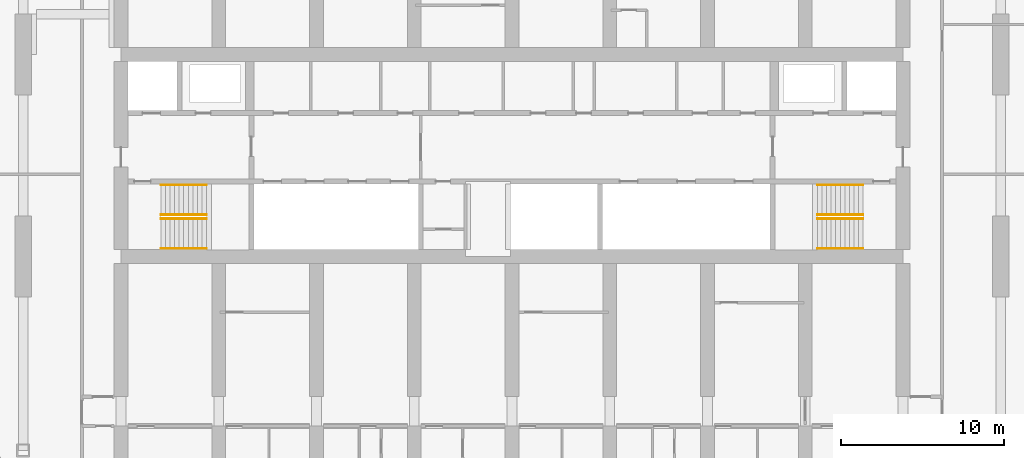
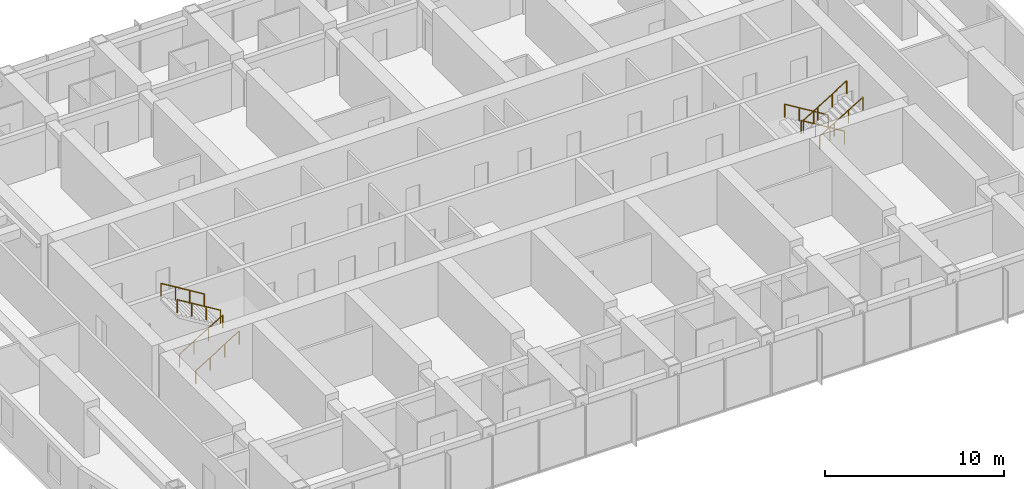
# One storey, part 22 of 22: 8 railings.
"""IFC4 building model written with IfcOpenShell, lengths in metres."""

from ifc_helpers import new_model, si_unit, direction, frame, origin, origin_2d, place, context, subcontext, project, spatial, circle, extrude, material, type_object, element, save


model = new_model("IFC4")

# Units and contexts
model_context = context("Model", 3, precision=1e-05, world=origin(), true_north=direction((0.0, 1.0)))
body_context = subcontext(model_context, "Body", "Model", "MODEL_VIEW")
ifc_project = project(units=[si_unit("LENGTHUNIT", "METRE"), si_unit("AREAUNIT", "SQUARE_METRE"), si_unit("VOLUMEUNIT", "CUBIC_METRE"), si_unit("PLANEANGLEUNIT", "RADIAN"), si_unit("MASSUNIT", "GRAM", prefix="KILO")], contexts=[model_context])

# Site, building, storey
site_placement = place(None, origin())
site = spatial("IfcSite", under=ifc_project, at=site_placement, CompositionType="ELEMENT")
building_placement = place(site_placement, origin())
building = spatial("IfcBuilding", under=site, at=building_placement, Name="Orbita Commons", CompositionType="ELEMENT")
storey_placement = place(building_placement, frame((0.0, 0.0, 144.85009765625)))
storey = spatial("IfcBuildingStorey", under=building, at=storey_placement, Name="L35", CompositionType="ELEMENT", Elevation=144.85009765625)

# Railings
ifc_material = material(Name="Steel tube, painted", Category="steel")
railing_type = type_object("IfcRailingType", Name="Stair handrail steel tube 900", PredefinedType="HANDRAIL", material=ifc_material)
for number, where, name in (
    (1, (20.449951171875, 28.114990234375, 0.17041015625), "Stair S1 handrail L35 flight 1"),
    (2, (20.449951171875, 26.284912109375, 0.17041015625), "Stair S1 handrail L35 flight 1"),
):
    element("IfcRailing", number, at=place(storey_placement, frame(where)), inside=storey, type_object=railing_type, Name=name, PredefinedType="HANDRAIL", context=body_context, shape_type="SweptSolid", body=[
        extrude(circle(Radius=0.02099609375, at=origin_2d()), frame((0.0, 0.0, 0.87890625), z_axis=(0.854169791009, 0.0, 0.51999420009), x_axis=(0.0, 1.0, 0.0)), (0.0, 0.0, 1.0), 3.278076171875),
        extrude(circle(Radius=0.02001953125, at=origin_2d()), origin(), (0.0, 0.0, 1.0), 0.85791015625),
        extrude(circle(Radius=0.02001953125, at=origin_2d()), frame((0.933349609375, 0.0, 0.568115234375)), (0.0, 0.0, 1.0), 0.85791015625),
        extrude(circle(Radius=0.02001953125, at=origin_2d()), frame((1.86669921875, 0.0, 1.136474609375)), (0.0, 0.0, 1.0), 0.85791015625),
        extrude(circle(Radius=0.02001953125, at=origin_2d()), frame((2.800048828125, 0.0, 1.70458984375)), (0.0, 0.0, 1.0), 0.85791015625),
    ])
for number, where, name in (
    (3, (23.25, 28.360107421875, 2.04541015625), "Stair S1 handrail L35 flight 2"),
    (4, (23.25, 30.18994140625, 2.04541015625), "Stair S1 handrail L35 flight 2"),
    (5, (63.550048828125, 28.360107421875, 0.17041015625), "Stair S2 handrail L35 flight 1"),
    (6, (63.550048828125, 30.18994140625, 0.17041015625), "Stair S2 handrail L35 flight 1"),
):
    element("IfcRailing", number, at=place(storey_placement, frame(where)), inside=storey, type_object=railing_type, Name=name, PredefinedType="HANDRAIL", context=body_context, shape_type="SweptSolid", body=[
        extrude(circle(Radius=0.02099609375, at=origin_2d()), frame((0.0, 0.0, 0.87890625), z_axis=(-0.854169791009, 0.0, 0.51999420009), x_axis=(0.0, -1.0, 0.0)), (0.0, 0.0, 1.0), 3.278076171875),
        extrude(circle(Radius=0.02001953125, at=origin_2d()), origin(), (0.0, 0.0, 1.0), 0.85791015625),
        extrude(circle(Radius=0.02001953125, at=origin_2d()), frame((-0.933349609375, 0.0, 0.568115234375)), (0.0, 0.0, 1.0), 0.85791015625),
        extrude(circle(Radius=0.02001953125, at=origin_2d()), frame((-1.86669921875, 0.0, 1.136474609375)), (0.0, 0.0, 1.0), 0.85791015625),
        extrude(circle(Radius=0.02001953125, at=origin_2d()), frame((-2.800048828125, 0.0, 1.70458984375)), (0.0, 0.0, 1.0), 0.85791015625),
    ])
for number, where, name in (
    (7, (60.75, 28.114990234375, 2.04541015625), "Stair S2 handrail L35 flight 2"),
    (8, (60.75, 26.284912109375, 2.04541015625), "Stair S2 handrail L35 flight 2"),
):
    element("IfcRailing", number, at=place(storey_placement, frame(where)), inside=storey, type_object=railing_type, Name=name, PredefinedType="HANDRAIL", context=body_context, shape_type="SweptSolid", body=[
        extrude(circle(Radius=0.02099609375, at=origin_2d()), frame((0.0, 0.0, 0.87890625), z_axis=(0.854169791009, 0.0, 0.51999420009), x_axis=(0.0, 1.0, 0.0)), (0.0, 0.0, 1.0), 3.278076171875),
        extrude(circle(Radius=0.02001953125, at=origin_2d()), origin(), (0.0, 0.0, 1.0), 0.85791015625),
        extrude(circle(Radius=0.02001953125, at=origin_2d()), frame((0.933349609375, 0.0, 0.568115234375)), (0.0, 0.0, 1.0), 0.85791015625),
        extrude(circle(Radius=0.02001953125, at=origin_2d()), frame((1.86669921875, 0.0, 1.136474609375)), (0.0, 0.0, 1.0), 0.85791015625),
        extrude(circle(Radius=0.02001953125, at=origin_2d()), frame((2.800048828125, 0.0, 1.70458984375)), (0.0, 0.0, 1.0), 0.85791015625),
    ])

save(model, "model.ifc")
